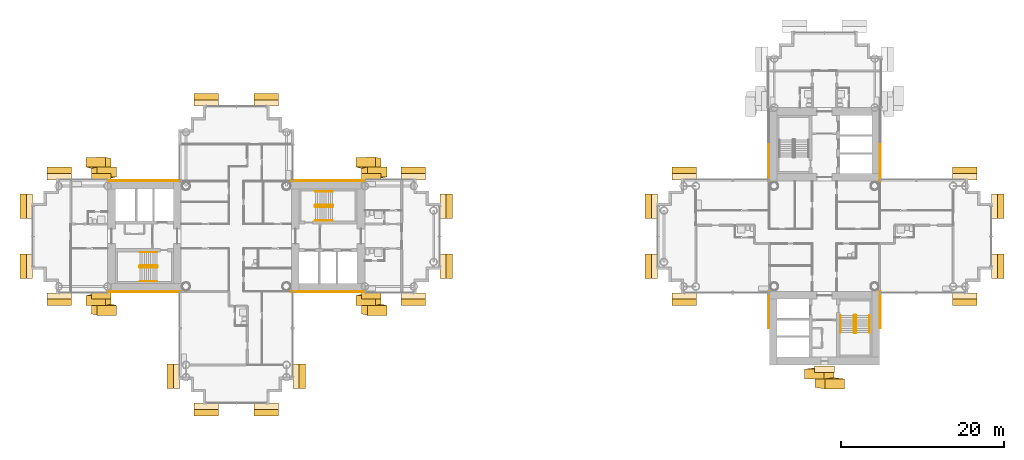
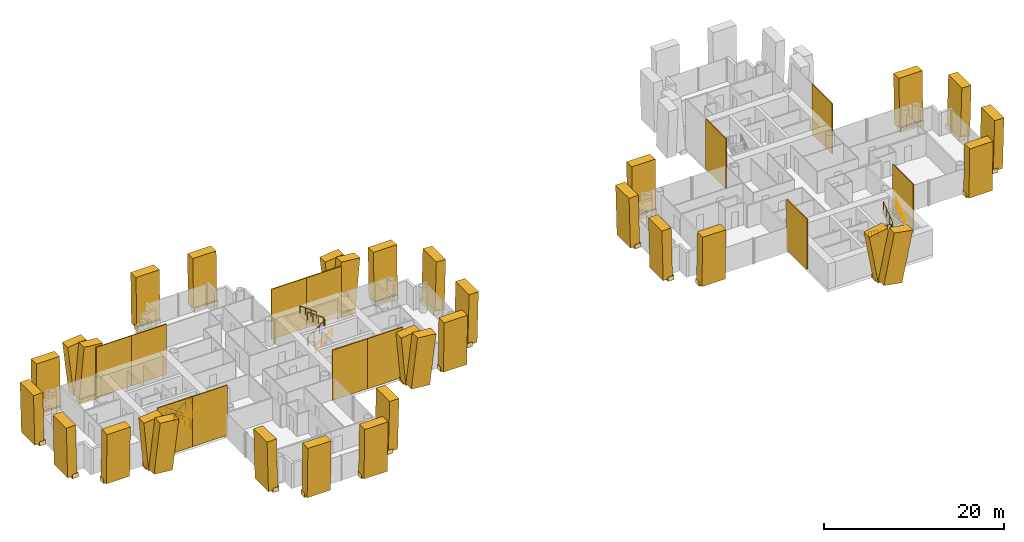
# One storey, part 18 of 20: 71 coverings, 9 railings.
"""IFC4 building model written with IfcOpenShell, lengths in metres."""

import ifcopenshell
import ifcopenshell.guid

model = None  # the IFC model being written
_history = None  # IfcOwnerHistory: only IFC2X3 demands one
_inside = {}  # id of a spatial element -> (the spatial element, [elements in it])
_under = {}  # id of a project, library or spatial element -> (it, [spatial elements below it])
_declared = {}  # id of a project -> (the project, [libraries it declares])
_typed = {}  # id of a type object -> (the type object, [elements of that type])
_made_of = {}  # id of a material, layer set ... -> (it, [elements and type objects made of it])


def new_model(schema):
    """Start an empty IFC model of exactly this schema.

    Asked for "IFC4X3", IfcOpenShell would pick the latest addendum, in which some entities
    have other attributes; the version numbers below select the first issue.
    IFC2X3 requires an IfcOwnerHistory on every rooted entity: one is made here for all.
    """
    global model, _history
    if schema == "IFC4X3":
        model = ifcopenshell.file(schema_version=(4, 3, 0, 0))
    else:
        model = ifcopenshell.file(schema=schema)
    _inside.clear()
    _under.clear()
    _declared.clear()
    _typed.clear()
    _made_of.clear()
    _history = None
    if model.schema == "IFC2X3":
        org = make("IfcOrganization", Name="unknown")
        user = make(
            "IfcPersonAndOrganization",
            ThePerson=make("IfcPerson", FamilyName="unknown"),
            TheOrganization=org,
        )
        app = make(
            "IfcApplication",
            ApplicationDeveloper=org,
            Version="unknown",
            ApplicationFullName="unknown",
            ApplicationIdentifier="unknown",
        )
        _history = make(
            "IfcOwnerHistory",
            OwningUser=user,
            OwningApplication=app,
            ChangeAction="ADDED",
            CreationDate=0,
        )
    return model


def make(cls, **values):
    """One entity of the class cls with the attributes given. An attribute that is None is left unset."""
    return model.create_entity(
        cls, **{name: value for name, value in values.items() if value is not None}
    )


def rooted(cls, **values):
    """An entity with a GlobalId (a new one), such as an element, a storey or a relation."""
    return make(cls, GlobalId=ifcopenshell.guid.new(), OwnerHistory=_history, **values)


def si_unit(unit_type, name, prefix=None):
    """IfcSIUnit, for example si_unit("LENGTHUNIT", "METRE", prefix="MILLI")."""
    return make("IfcSIUnit", UnitType=unit_type, Prefix=prefix, Name=name)


def assignment(units):
    """IfcUnitAssignment: the units of a project."""
    return None if units is None else make("IfcUnitAssignment", Units=units)


def point(xyz):
    """IfcCartesianPoint."""
    return None if xyz is None else make("IfcCartesianPoint", Coordinates=xyz)


def direction(xyz):
    """IfcDirection."""
    return None if xyz is None else make("IfcDirection", DirectionRatios=xyz)


def frame(location, z_axis=None, x_axis=None):
    """IfcAxis2Placement3D, a coordinate frame: its origin and axes. An axis left out is left unset."""
    return make(
        "IfcAxis2Placement3D",
        Location=point(location),
        Axis=direction(z_axis),
        RefDirection=direction(x_axis),
    )


def frame_2d(location, x_axis=None):
    """IfcAxis2Placement2D, a coordinate frame in the plane: its origin and x axis."""
    return make(
        "IfcAxis2Placement2D", Location=point(location), RefDirection=direction(x_axis)
    )


def origin():
    """The frame at (0, 0, 0) with its axes left unset."""
    return frame((0.0, 0.0, 0.0))


def origin_2d():
    """The frame at (0, 0) in the plane with its x axis left unset."""
    return frame_2d((0.0, 0.0))


def place(relative_to, where):
    """IfcLocalPlacement: puts the frame where relative to a parent placement (None: the world)."""
    return make(
        "IfcLocalPlacement", PlacementRelTo=relative_to, RelativePlacement=where
    )


def context(
    kind, dimensions, precision=None, world=None, true_north=None, identifier=None
):
    """IfcGeometricRepresentationContext, for example the 3D "Model" context."""
    return make(
        "IfcGeometricRepresentationContext",
        ContextIdentifier=identifier,
        ContextType=kind,
        CoordinateSpaceDimension=dimensions,
        Precision=precision,
        WorldCoordinateSystem=world,
        TrueNorth=true_north,
    )


def subcontext(parent, identifier, kind, view, scale=None):
    """IfcGeometricRepresentationSubContext, for example "Body" below "Model"."""
    return make(
        "IfcGeometricRepresentationSubContext",
        ContextIdentifier=identifier,
        ContextType=kind,
        ParentContext=parent,
        TargetScale=scale,
        TargetView=view,
    )


def project(units=None, contexts=None):
    """IfcProject with its units and contexts."""
    return rooted(
        "IfcProject",
        Name="project",
        RepresentationContexts=contexts,
        UnitsInContext=assignment(units),
    )


def spatial(cls, under=None, at=None, **own):
    """A site, building, storey or space (cls), placed at a placement, below another one or the project."""
    s = rooted(cls, ObjectPlacement=at, **own)
    if under is not None:
        _under.setdefault(under.id(), (under, []))[1].append(s)
    return s


def profile(cls, at=None, kind="AREA", **sizes):
    """A parametric profile (cls). Its sizes go by their IFC names, for example OverallWidth=200.0."""
    return make(cls, ProfileType=kind, Position=at, **sizes)


def rectangle(**sizes):
    """IfcRectangleProfileDef."""
    return profile("IfcRectangleProfileDef", **sizes)


def circle(**sizes):
    """IfcCircleProfileDef."""
    return profile("IfcCircleProfileDef", **sizes)


def extrude(swept, where, along, depth):
    """IfcExtrudedAreaSolid: the profile swept, set in the frame where, extruded along a direction by depth."""
    return make(
        "IfcExtrudedAreaSolid",
        SweptArea=swept,
        Position=where,
        ExtrudedDirection=direction(along),
        Depth=depth,
    )


def shape(context_of_items, identifier, shape_type, items):
    """IfcShapeRepresentation: the items that make up one representation, for example the "Body"."""
    return make(
        "IfcShapeRepresentation",
        ContextOfItems=context_of_items,
        RepresentationIdentifier=identifier,
        RepresentationType=shape_type,
        Items=items,
    )


def material(Name=None, Category=None):
    """IfcMaterial."""
    return make("IfcMaterial", Name=Name, Category=Category)


def layer(
    of_material, thickness, ventilated=None, Name=None, Category=None, Priority=None
):
    """IfcMaterialLayer: one layer of a wall or slab, of a material (None: an air gap)."""
    return make(
        "IfcMaterialLayer",
        Material=of_material,
        LayerThickness=thickness,
        IsVentilated=ventilated,
        Name=Name,
        Category=Category,
        Priority=Priority,
    )


def layer_set(layers, Name=None):
    """IfcMaterialLayerSet."""
    return make("IfcMaterialLayerSet", MaterialLayers=layers, LayerSetName=Name)


def material_profile(
    of_material, cross_section, Name=None, Category=None, Priority=None
):
    """IfcMaterialProfile: a cross section and its material."""
    return make(
        "IfcMaterialProfile",
        Name=Name,
        Material=of_material,
        Profile=cross_section,
        Priority=Priority,
        Category=Category,
    )


def profile_set(profiles, Name=None, composite=None):
    """IfcMaterialProfileSet."""
    return make(
        "IfcMaterialProfileSet",
        Name=Name,
        MaterialProfiles=profiles,
        CompositeProfile=composite,
    )


def made_of(thing, what):
    """Note that an element or type object is made of a material, layer set ...; save() writes the relation."""
    if what is not None:
        _made_of.setdefault(what.id(), (what, []))[1].append(thing)
    return thing


def type_object(cls, material=None, **own):
    """A type object (cls), such as IfcWallType, which elements share."""
    return made_of(rooted(cls, **own), material)


def element(
    cls,
    number,
    at=None,
    inside=None,
    cuts=None,
    type_object=None,
    material=None,
    context=None,
    identifier="Body",
    shape_type=None,
    held_by="IfcProductDefinitionShape",
    body=None,
    shapes=None,
    **own,
):
    """One element of the class cls, such as IfcWall. Its Tag is "e" and its number.

    at: its placement. inside: the storey or other place that contains it. cuts: it is an
    opening in that element (IfcRelVoidsElement). A single representation is given by context,
    identifier, shape_type and body (its items); several are given by shapes. held_by: the class
    of the entity that holds the representations. save() writes the other relations.
    """
    e = rooted(cls, Tag="e%d" % number, ObjectPlacement=at, **own)
    if body is not None:
        shapes = [shape(context, identifier, shape_type, body)]
    if shapes is not None:
        e.Representation = make(held_by, Representations=shapes)
    if inside is not None:
        _inside.setdefault(inside.id(), (inside, []))[1].append(e)
    if cuts is not None:
        rooted(
            "IfcRelVoidsElement", RelatingBuildingElement=cuts, RelatedOpeningElement=e
        )
    if type_object is not None:
        _typed.setdefault(type_object.id(), (type_object, []))[1].append(e)
    return made_of(e, material)


def aggregate(whole, parts):
    """IfcRelAggregates: a whole, such as a stair, and the parts it consists of."""
    return rooted("IfcRelAggregates", RelatingObject=whole, RelatedObjects=parts)


def save(model, path):
    """Write the relations noted so far, then the file.

    IfcRelAggregates (storeys below a building ...), IfcRelContainedInSpatialStructure (elements
    in a storey), IfcRelDefinesByType, IfcRelAssociatesMaterial and IfcRelDeclares: one each for
    every whole, place, type object, material and project.
    """
    for whole, parts in _under.values():
        aggregate(whole, parts)
    for where, things in _inside.values():
        rooted(
            "IfcRelContainedInSpatialStructure",
            RelatedElements=things,
            RelatingStructure=where,
        )
    for kind, things in _typed.values():
        rooted("IfcRelDefinesByType", RelatedObjects=things, RelatingType=kind)
    for what, things in _made_of.values():
        rooted("IfcRelAssociatesMaterial", RelatedObjects=things, RelatingMaterial=what)
    for by, libraries in _declared.values():
        rooted("IfcRelDeclares", RelatingContext=by, RelatedDefinitions=libraries)
    model.write(path)


model = new_model("IFC4")

# Units and contexts
model_context = context("Model", 3, precision=1e-05, world=origin(), true_north=direction((0.0, 1.0)))
body_context = subcontext(model_context, "Body", "Model", "MODEL_VIEW")
ifc_project = project(units=[si_unit("LENGTHUNIT", "METRE"), si_unit("AREAUNIT", "SQUARE_METRE"), si_unit("VOLUMEUNIT", "CUBIC_METRE"), si_unit("PLANEANGLEUNIT", "RADIAN"), si_unit("MASSUNIT", "GRAM", prefix="KILO")], contexts=[model_context])

# Site, building, storey
site_placement = place(None, origin())
site = spatial("IfcSite", under=ifc_project, at=site_placement, CompositionType="ELEMENT")
building_placement = place(site_placement, origin())
building = spatial("IfcBuilding", under=site, at=building_placement, Name="Ipe Terrace Towers", CompositionType="ELEMENT")
storey_placement = place(building_placement, frame((0.0, 0.0, 100.39990234375)))
storey = spatial("IfcBuildingStorey", under=building, at=storey_placement, Name="L27", CompositionType="ELEMENT", Elevation=100.39990234375)

# Coverings
ifc_material_1 = material(Name="Concrete C50/60 precast, buff finish", Category="concrete")
ifc_layer = layer(ifc_material_1, 0.1201171875)
ifc_layer_set = layer_set([ifc_layer], Name="STONE CORE CLADDING 120")
covering_type_1 = type_object("IfcCoveringType", Name="STONE CORE CLADDING 120", PredefinedType="CLADDING", material=ifc_layer_set)
covering_1_placement = place(storey_placement, frame((-49.5009765625, -6.81005859375, 0.0), z_axis=(0.0, 0.0, 1.0), x_axis=(1.0, 0.0, 0.0)))
element("IfcCovering", 1, at=covering_1_placement, inside=storey, type_object=covering_type_1, Name="stone core cladding", PredefinedType="CLADDING", context=body_context, shape_type="SweptSolid", body=[
    extrude(rectangle(XDim=4.5009765625, YDim=0.1201171875, at=origin_2d()), origin(), (0.0, 0.0, 1.0), 6.800048828125),
])
covering_2_placement = place(storey_placement, frame((-45.0, -6.81005859375, 0.0), z_axis=(0.0, 0.0, 1.0), x_axis=(1.0, 0.0, 0.0)))
element("IfcCovering", 2, at=covering_2_placement, inside=storey, type_object=covering_type_1, Name="stone core cladding", PredefinedType="CLADDING", context=body_context, shape_type="SweptSolid", body=[
    extrude(rectangle(XDim=4.5, YDim=0.1201171875, at=origin_2d()), origin(), (0.0, 0.0, 1.0), 6.800048828125),
])
covering_3_placement = place(storey_placement, frame((-49.5009765625, 6.81005859375, 0.0), z_axis=(0.0, 0.0, 1.0), x_axis=(-1.0, 0.0, 0.0)))
element("IfcCovering", 3, at=covering_3_placement, inside=storey, type_object=covering_type_1, Name="stone core cladding", PredefinedType="CLADDING", context=body_context, shape_type="SweptSolid", body=[
    extrude(rectangle(XDim=4.5009765625, YDim=0.1201171875, at=origin_2d()), origin(), (0.0, 0.0, 1.0), 6.800048828125),
])
for number, where, z_axis, x_axis, name in (
    (4, (-45.0, 6.81005859375, 0.0), (0.0, 0.0, 1.0), (-1.0, 0.0, 0.0), "stone core cladding"),
    (5, (-27.0, -6.81005859375, 0.0), (0.0, 0.0, 1.0), (1.0, 0.0, 0.0), "stone core cladding"),
):
    element("IfcCovering", number, at=place(storey_placement, frame(where, z_axis=z_axis, x_axis=x_axis)), inside=storey, type_object=covering_type_1, Name=name, PredefinedType="CLADDING", context=body_context, shape_type="SweptSolid", body=[
        extrude(rectangle(XDim=4.5, YDim=0.1201171875, at=origin_2d()), origin(), (0.0, 0.0, 1.0), 6.800048828125),
    ])
covering_4_placement = place(storey_placement, frame((-22.4990234375, -6.81005859375, 0.0), z_axis=(0.0, 0.0, 1.0), x_axis=(1.0, 0.0, 0.0)))
element("IfcCovering", 6, at=covering_4_placement, inside=storey, type_object=covering_type_1, Name="stone core cladding", PredefinedType="CLADDING", context=body_context, shape_type="SweptSolid", body=[
    extrude(rectangle(XDim=4.5009765625, YDim=0.1201171875, at=origin_2d()), origin(), (0.0, 0.0, 1.0), 6.800048828125),
])
covering_5_placement = place(storey_placement, frame((-27.0, 6.81005859375, 0.0), z_axis=(0.0, 0.0, 1.0), x_axis=(-1.0, 0.0, 0.0)))
element("IfcCovering", 7, at=covering_5_placement, inside=storey, type_object=covering_type_1, Name="stone core cladding", PredefinedType="CLADDING", context=body_context, shape_type="SweptSolid", body=[
    extrude(rectangle(XDim=4.5, YDim=0.1201171875, at=origin_2d()), origin(), (0.0, 0.0, 1.0), 6.800048828125),
])
covering_6_placement = place(storey_placement, frame((-22.4990234375, 6.81005859375, 0.0), z_axis=(0.0, 0.0, 1.0), x_axis=(-1.0, 0.0, 0.0)))
element("IfcCovering", 8, at=covering_6_placement, inside=storey, type_object=covering_type_1, Name="stone core cladding", PredefinedType="CLADDING", context=body_context, shape_type="SweptSolid", body=[
    extrude(rectangle(XDim=4.5009765625, YDim=0.1201171875, at=origin_2d()), origin(), (0.0, 0.0, 1.0), 6.800048828125),
])
for number, where, z_axis, x_axis, name in (
    (9, (29.18994140625, -9.0, 0.0), (0.0, 0.0, 1.0), (0.0, -1.0, 0.0), "stone core cladding"),
    (10, (29.18994140625, 9.0, 0.0), (0.0, 0.0, 1.0), (0.0, -1.0, 0.0), "stone core cladding"),
    (11, (42.81005859375, -9.0, 0.0), (0.0, 0.0, 1.0), (0.0, 1.0, 0.0), "stone core cladding"),
    (12, (42.81005859375, 9.0, 0.0), (0.0, 0.0, 1.0), (0.0, 1.0, 0.0), "stone core cladding"),
):
    element("IfcCovering", number, at=place(storey_placement, frame(where, z_axis=z_axis, x_axis=x_axis)), inside=storey, type_object=covering_type_1, Name=name, PredefinedType="CLADDING", context=body_context, shape_type="SweptSolid", body=[
        extrude(rectangle(XDim=4.5, YDim=0.1201171875, at=origin_2d()), origin(), (0.0, 0.0, 1.0), 6.800048828125),
    ])
ifc_material_2 = material(Name="Concrete C50/60 precast, buff finish", Category="concrete")
ifc_material_profile_1 = material_profile(ifc_material_2, rectangle(XDim=2.39990234375, YDim=1.199951171875, at=origin_2d()), Name="STONE FIN 2400 x 1200")
ifc_profile_set_1 = profile_set([ifc_material_profile_1], Name="Concrete C50/60 precast, buff finish")
covering_type_2 = type_object("IfcCoveringType", Name="STONE FIN 2400 x 1200", PredefinedType="USERDEFINED", material=ifc_profile_set_1)
for number, where, z_axis, x_axis, name in (
    (13, (-19.47509765625, -8.89990234375, 0.0), (0.10253607842, -0.025312701811, 0.994407170001), (0.994729286099, 0.002609217613, -0.102502874893), "stone fin"),
    (14, (-19.47509765625, 7.699951171875, 0.0), (0.10253607842, 0.025312701811, 0.994407170001), (-0.994729286099, 0.002609217613, 0.102502874893), "stone fin"),
    (15, (-19.47509765625, -7.699951171875, 0.0), (-0.102500751607, -0.025312794458, 0.994410809654), (0.994732926931, -0.002608318659, 0.102467559519), "stone fin"),
    (16, (-19.47509765625, 8.89990234375, 0.0), (-0.102500751607, 0.025312794458, 0.994410809654), (-0.994732926931, -0.002608318659, -0.102467559519), "stone fin"),
    (17, (-52.52490234375, -8.89990234375, 0.0), (0.102500751607, -0.025312794458, 0.994410809654), (0.994732926931, 0.002608318659, -0.102467559519), "stone fin"),
    (18, (-52.52490234375, 7.699951171875, 0.0), (0.102500751607, 0.025312794458, 0.994410809654), (-0.994732926931, 0.002608318659, 0.102467559519), "stone fin"),
    (19, (-52.52490234375, -7.699951171875, 0.0), (-0.10253607842, -0.025312701811, 0.994407170001), (0.994729286099, -0.002609217613, 0.102502874893), "stone fin"),
    (20, (-52.52490234375, 8.89990234375, 0.0), (-0.10253607842, 0.025312701811, 0.994407170001), (-0.994729286099, -0.002609217613, -0.102502874893), "stone fin"),
):
    element("IfcCovering", number, at=place(storey_placement, frame(where, z_axis=z_axis, x_axis=x_axis)), inside=storey, type_object=covering_type_2, Name=name, ObjectType="FIN", PredefinedType="USERDEFINED", context=body_context, shape_type="SweptSolid", body=[
        extrude(rectangle(XDim=2.39990234375, YDim=1.199951171875, at=origin_2d()), origin(), (0.0, 0.0, 1.0), 6.83837890625),
    ])
for number, where, z_axis, x_axis, name in (
    (21, (36.0, -16.699951171875, 0.0), (-0.183125082255, -0.02501650931, 0.982771274769), (0.983089621677, -0.004659951872, 0.183065782164), "stone fin"),
    (22, (36.0, -17.89990234375, 0.0), (0.183125082255, -0.02501650931, 0.982771274769), (0.983089621677, 0.004659951872, -0.183065782164), "stone fin"),
):
    element("IfcCovering", number, at=place(storey_placement, frame(where, z_axis=z_axis, x_axis=x_axis)), inside=storey, type_object=covering_type_2, Name=name, ObjectType="FIN", PredefinedType="USERDEFINED", context=body_context, shape_type="SweptSolid", body=[
        extrude(rectangle(XDim=2.39990234375, YDim=1.199951171875, at=origin_2d()), origin(), (0.0, 0.0, 1.0), 6.919189453125),
    ])
ifc_material_3 = material(Name="Concrete C50/60 precast, buff finish", Category="concrete")
ifc_material_profile_2 = material_profile(ifc_material_3, rectangle(XDim=3.0, YDim=1.199951171875, at=origin_2d()), Name="STONE FIN CORNER 3000 x 1200")
ifc_profile_set_2 = profile_set([ifc_material_profile_2], Name="Concrete C50/60 precast, buff finish")
covering_type_3 = type_object("IfcCoveringType", Name="STONE FIN CORNER 3000 x 1200", PredefinedType="USERDEFINED", material=ifc_profile_set_2)
for number, where, z_axis, x_axis, name in (
    (23, (-10.300048828125, -3.64990234375, 0.0), (0.025446824744, 0.0, 0.999676177125), (0.0, 1.0, 0.0), "stone fin"),
    (24, (-10.300048828125, 3.64990234375, 0.0), (0.025446824744, 0.0, 0.999676177125), (0.0, 1.0, 0.0), "stone fin"),
    (25, (-14.35009765625, -7.699951171875, 0.0), (0.0, -0.025446824744, 0.999676177125), (1.0, 0.0, 0.0), "stone fin"),
    (26, (-14.35009765625, 7.699951171875, 0.0), (0.0, 0.025446824744, 0.999676177125), (-1.0, 0.0, 0.0), "stone fin"),
    (27, (-28.300048828125, -17.14990234375, 0.0), (0.025446824744, 0.0, 0.999676177125), (0.0, 1.0, 0.0), "stone fin"),
    (28, (-32.35009765625, -21.199951171875, 0.0), (0.0, -0.025446824744, 0.999676177125), (1.0, 0.0, 0.0), "stone fin"),
    (29, (-32.35009765625, 16.699951171875, 0.0), (0.0, 0.025446824744, 0.999676177125), (-1.0, 0.0, 0.0), "stone fin"),
    (30, (-39.64990234375, -21.199951171875, 0.0), (0.0, -0.025446824744, 0.999676177125), (1.0, 0.0, 0.0), "stone fin"),
    (31, (-39.64990234375, 16.699951171875, 0.0), (0.0, 0.025446824744, 0.999676177125), (-1.0, 0.0, 0.0), "stone fin"),
    (32, (-43.699951171875, -17.14990234375, 0.0), (-0.025446824744, 0.0, 0.999676177125), (0.0, -1.0, 0.0), "stone fin"),
    (33, (-57.64990234375, -7.699951171875, 0.0), (0.0, -0.025446824744, 0.999676177125), (1.0, 0.0, 0.0), "stone fin"),
    (34, (-57.64990234375, 7.699951171875, 0.0), (0.0, 0.025446824744, 0.999676177125), (-1.0, 0.0, 0.0), "stone fin"),
    (35, (-61.699951171875, -3.64990234375, 0.0), (-0.025446824744, 0.0, 0.999676177125), (0.0, -1.0, 0.0), "stone fin"),
    (36, (-61.699951171875, 3.64990234375, 0.0), (-0.025446824744, 0.0, 0.999676177125), (0.0, -1.0, 0.0), "stone fin"),
    (37, (14.800048828125, -3.64990234375, 0.0), (-0.025446824744, 0.0, 0.999676177125), (0.0, -1.0, 0.0), "stone fin"),
    (38, (14.800048828125, 3.64990234375, 0.0), (-0.025446824744, 0.0, 0.999676177125), (0.0, -1.0, 0.0), "stone fin"),
    (39, (18.85009765625, -7.699951171875, 0.0), (0.0, -0.025446824744, 0.999676177125), (1.0, 0.0, 0.0), "stone fin"),
    (40, (18.85009765625, 7.699951171875, 0.0), (0.0, 0.025446824744, 0.999676177125), (-1.0, 0.0, 0.0), "stone fin"),
    (41, (53.14990234375, -7.699951171875, 0.0), (0.0, -0.025446824744, 0.999676177125), (1.0, 0.0, 0.0), "stone fin"),
    (42, (53.14990234375, 7.699951171875, 0.0), (0.0, 0.025446824744, 0.999676177125), (-1.0, 0.0, 0.0), "stone fin"),
    (43, (57.199951171875, -3.64990234375, 0.0), (0.025446824744, 0.0, 0.999676177125), (0.0, 1.0, 0.0), "stone fin"),
    (44, (57.199951171875, 3.64990234375, 0.0), (0.025446824744, 0.0, 0.999676177125), (0.0, 1.0, 0.0), "stone fin"),
):
    element("IfcCovering", number, at=place(storey_placement, frame(where, z_axis=z_axis, x_axis=x_axis)), inside=storey, type_object=covering_type_3, Name=name, ObjectType="FIN", PredefinedType="USERDEFINED", context=body_context, shape_type="SweptSolid", body=[
        extrude(rectangle(XDim=3.0, YDim=1.199951171875, at=origin_2d()), origin(), (0.0, 0.0, 1.0), 6.80224609375),
    ])
ifc_material_4 = material(Name="Concrete C50/60 precast, buff finish", Category="concrete")
covering_type_4 = type_object("IfcCoveringType", Name="STONE FIN SHELF 2400 x 600", PredefinedType="CLADDING", material=ifc_material_4)
for number, where, z_axis, x_axis, name in (
    (45, (-19.47509765625, 7.30810546875, -0.349853515625), (0.0, 0.0, 1.0), (-1.0, 0.0, 0.0), "stone fin shelf"),
    (46, (-19.47509765625, -7.30810546875, -0.349853515625), (0.0, 0.0, 1.0), (1.0, 0.0, 0.0), "stone fin shelf"),
    (47, (-52.52490234375, 7.30810546875, -0.349853515625), (0.0, 0.0, 1.0), (-1.0, 0.0, 0.0), "stone fin shelf"),
    (48, (-52.52490234375, -7.30810546875, -0.349853515625), (0.0, 0.0, 1.0), (1.0, 0.0, 0.0), "stone fin shelf"),
):
    element("IfcCovering", number, at=place(storey_placement, frame(where, z_axis=z_axis, x_axis=x_axis)), inside=storey, type_object=covering_type_4, Name=name, PredefinedType="CLADDING", context=body_context, shape_type="SweptSolid", body=[
        extrude(rectangle(XDim=2.39990234375, YDim=0.783935546875, at=origin_2d()), origin(), (0.0, 0.0, 1.0), 0.60009765625),
    ])
covering_7_placement = place(storey_placement, frame((36.0, -16.280029296875, -0.349853515625), z_axis=(0.0, 0.0, 1.0), x_axis=(1.0, 0.0, 0.0)))
element("IfcCovering", 49, at=covering_7_placement, inside=storey, type_object=covering_type_4, Name="stone fin shelf", PredefinedType="CLADDING", context=body_context, shape_type="SweptSolid", body=[
    extrude(rectangle(XDim=2.39990234375, YDim=0.840087890625, at=origin_2d()), origin(), (0.0, 0.0, 1.0), 0.60009765625),
])
ifc_material_5 = material(Name="Concrete C50/60 precast, buff finish", Category="concrete")
covering_type_5 = type_object("IfcCoveringType", Name="STONE FIN SHELF 3000 x 600", PredefinedType="CLADDING", material=ifc_material_5)
for number, where, z_axis, x_axis, name in (
    (50, (-10.69189453125, -3.64990234375, -0.349853515625), (0.0, 0.0, 1.0), (0.0, 1.0, 0.0), "stone fin shelf"),
    (51, (-10.69189453125, 3.64990234375, -0.349853515625), (0.0, 0.0, 1.0), (0.0, 1.0, 0.0), "stone fin shelf"),
    (52, (-14.35009765625, -7.30810546875, -0.349853515625), (0.0, 0.0, 1.0), (1.0, 0.0, 0.0), "stone fin shelf"),
    (53, (-14.35009765625, 7.30810546875, -0.349853515625), (0.0, 0.0, 1.0), (-1.0, 0.0, 0.0), "stone fin shelf"),
    (54, (-28.69189453125, -17.14990234375, -0.349853515625), (0.0, 0.0, 1.0), (0.0, 1.0, 0.0), "stone fin shelf"),
    (55, (-32.35009765625, -20.80810546875, -0.349853515625), (0.0, 0.0, 1.0), (1.0, 0.0, 0.0), "stone fin shelf"),
    (56, (-32.35009765625, 16.30810546875, -0.349853515625), (0.0, 0.0, 1.0), (-1.0, 0.0, 0.0), "stone fin shelf"),
    (57, (-39.64990234375, -20.80810546875, -0.349853515625), (0.0, 0.0, 1.0), (1.0, 0.0, 0.0), "stone fin shelf"),
    (58, (-39.64990234375, 16.30810546875, -0.349853515625), (0.0, 0.0, 1.0), (-1.0, 0.0, 0.0), "stone fin shelf"),
    (59, (-43.30810546875, -17.14990234375, -0.349853515625), (0.0, 0.0, 1.0), (0.0, -1.0, 0.0), "stone fin shelf"),
    (60, (-57.64990234375, -7.30810546875, -0.349853515625), (0.0, 0.0, 1.0), (1.0, 0.0, 0.0), "stone fin shelf"),
    (61, (-57.64990234375, 7.30810546875, -0.349853515625), (0.0, 0.0, 1.0), (-1.0, 0.0, 0.0), "stone fin shelf"),
    (62, (-61.30810546875, -3.64990234375, -0.349853515625), (0.0, 0.0, 1.0), (0.0, -1.0, 0.0), "stone fin shelf"),
    (63, (-61.30810546875, 3.64990234375, -0.349853515625), (0.0, 0.0, 1.0), (0.0, -1.0, 0.0), "stone fin shelf"),
    (64, (15.19189453125, -3.64990234375, -0.349853515625), (0.0, 0.0, 1.0), (0.0, -1.0, 0.0), "stone fin shelf"),
    (65, (15.19189453125, 3.64990234375, -0.349853515625), (0.0, 0.0, 1.0), (0.0, -1.0, 0.0), "stone fin shelf"),
    (66, (18.85009765625, -7.30810546875, -0.349853515625), (0.0, 0.0, 1.0), (1.0, 0.0, 0.0), "stone fin shelf"),
    (67, (18.85009765625, 7.30810546875, -0.349853515625), (0.0, 0.0, 1.0), (-1.0, 0.0, 0.0), "stone fin shelf"),
    (68, (53.14990234375, -7.30810546875, -0.349853515625), (0.0, 0.0, 1.0), (1.0, 0.0, 0.0), "stone fin shelf"),
    (69, (53.14990234375, 7.30810546875, -0.349853515625), (0.0, 0.0, 1.0), (-1.0, 0.0, 0.0), "stone fin shelf"),
    (70, (56.80810546875, -3.64990234375, -0.349853515625), (0.0, 0.0, 1.0), (0.0, 1.0, 0.0), "stone fin shelf"),
    (71, (56.80810546875, 3.64990234375, -0.349853515625), (0.0, 0.0, 1.0), (0.0, 1.0, 0.0), "stone fin shelf"),
):
    element("IfcCovering", number, at=place(storey_placement, frame(where, z_axis=z_axis, x_axis=x_axis)), inside=storey, type_object=covering_type_5, Name=name, PredefinedType="CLADDING", context=body_context, shape_type="SweptSolid", body=[
        extrude(rectangle(XDim=3.0, YDim=0.783935546875, at=origin_2d()), origin(), (0.0, 0.0, 1.0), 0.60009765625),
    ])

# Railings
ifc_material_6 = material(Name="Steel S355", Category="steel")
railing_type_1 = type_object("IfcRailingType", Name="Stair guard 1100", PredefinedType="GUARDRAIL", material=ifc_material_6)
railing_1_placement = place(storey_placement, frame((-26.35009765625, 3.800048828125, 0.0)))
element("IfcRailing", 72, at=railing_1_placement, inside=storey, type_object=railing_type_1, Name="L27 T1-ST1 stair guard 1", PredefinedType="GUARDRAIL", context=body_context, shape_type="SweptSolid", body=[
    extrude(circle(Radius=0.02392578125, at=origin_2d()), frame((0.0, 0.0, 1.076171875), z_axis=(0.0, -1.0, 0.0), x_axis=(1.0, 0.0, 0.0)), (0.0, 0.0, 1.0), 0.150146484375),
    extrude(circle(Radius=0.02392578125, at=origin_2d()), frame((0.0, -0.150146484375, 1.076171875), z_axis=(0.248103849378, -0.246893586699, 0.936743314239), x_axis=(0.705375805398, 0.708833529934, 0.0)), (0.0, 0.0, 1.0), 0.20166015625),
    extrude(circle(Radius=0.02392578125, at=origin_2d()), frame((0.050048828125, -0.199951171875, 1.26513671875), z_axis=(0.809023421508, 0.0, 0.587776406001), x_axis=(0.0, 1.0, 0.0)), (0.0, 0.0, 1.0), 2.571044921875),
    extrude(circle(Radius=0.02392578125, at=origin_2d()), frame((2.130126953125, -0.199951171875, 2.7763671875), z_axis=(0.708833529934, 0.705375805398, 0.0), x_axis=(-0.705375805398, 0.708833529934, 0.0)), (0.0, 0.0, 1.0), 0.070556640625),
    extrude(circle(Radius=0.02392578125, at=origin_2d()), frame((2.18017578125, -0.150146484375, 2.7763671875), z_axis=(0.0, 1.0, 0.0), x_axis=(-1.0, 0.0, 0.0)), (0.0, 0.0, 1.0), 0.150146484375),
    extrude(circle(Radius=0.02392578125, at=origin_2d()), frame((2.18017578125, 0.0, 2.7763671875), z_axis=(-0.248310886586, 0.248310886586, 0.936313733321), x_axis=(-0.707106781187, -0.707106781187, 0.0)), (0.0, 0.0, 1.0), 0.20166015625),
    extrude(circle(Radius=0.02392578125, at=origin_2d()), frame((2.130126953125, 0.050048828125, 2.96484375), z_axis=(-0.809023421508, 0.0, 0.587776406001), x_axis=(0.0, -1.0, 0.0)), (0.0, 0.0, 1.0), 2.571044921875),
    extrude(circle(Radius=0.02099609375, at=origin_2d()), origin(), (0.0, 0.0, 1.0), 1.052001953125),
    extrude(circle(Radius=0.02099609375, at=origin_2d()), frame((0.0, -0.150146484375, 0.0)), (0.0, 0.0, 1.0), 1.052001953125),
    extrude(circle(Radius=0.02099609375, at=origin_2d()), frame((0.050048828125, -0.199951171875, 0.18896484375)), (0.0, 0.0, 1.0), 1.052001953125),
    extrude(circle(Radius=0.02099609375, at=origin_2d()), frame((0.743408203125, -0.199951171875, 0.692626953125)), (0.0, 0.0, 1.0), 1.052001953125),
    extrude(circle(Radius=0.02099609375, at=origin_2d()), frame((1.436767578125, -0.199951171875, 1.196533203125)), (0.0, 0.0, 1.0), 1.052001953125),
    extrude(circle(Radius=0.02099609375, at=origin_2d()), frame((2.130126953125, -0.199951171875, 1.7001953125)), (0.0, 0.0, 1.0), 1.052001953125),
    extrude(circle(Radius=0.02099609375, at=origin_2d()), frame((2.18017578125, -0.150146484375, 1.7001953125)), (0.0, 0.0, 1.0), 1.052001953125),
    extrude(circle(Radius=0.02099609375, at=origin_2d()), frame((2.18017578125, 0.0, 1.7001953125)), (0.0, 0.0, 1.0), 1.052001953125),
    extrude(circle(Radius=0.02099609375, at=origin_2d()), frame((2.130126953125, 0.050048828125, 1.888916015625)), (0.0, 0.0, 1.0), 1.052001953125),
    extrude(circle(Radius=0.02099609375, at=origin_2d()), frame((1.436767578125, 0.050048828125, 2.392578125)), (0.0, 0.0, 1.0), 1.052001953125),
    extrude(circle(Radius=0.02099609375, at=origin_2d()), frame((0.743408203125, 0.050048828125, 2.896484375)), (0.0, 0.0, 1.0), 1.052001953125),
    extrude(circle(Radius=0.02099609375, at=origin_2d()), frame((0.050048828125, 0.050048828125, 3.400146484375)), (0.0, 0.0, 1.0), 1.052001953125),
])
railing_2_placement = place(storey_placement, frame((-45.64990234375, -3.800048828125, 0.0)))
element("IfcRailing", 73, at=railing_2_placement, inside=storey, type_object=railing_type_1, Name="L27 T1-ST2 stair guard 1", PredefinedType="GUARDRAIL", context=body_context, shape_type="SweptSolid", body=[
    extrude(circle(Radius=0.02392578125, at=origin_2d()), frame((0.0, 0.0, 1.076171875), z_axis=(0.0, 1.0, 0.0), x_axis=(-1.0, 0.0, 0.0)), (0.0, 0.0, 1.0), 0.150146484375),
    extrude(circle(Radius=0.02392578125, at=origin_2d()), frame((0.0, 0.150146484375, 1.076171875), z_axis=(-0.248103849378, 0.246893586699, 0.936743314239), x_axis=(-0.705375805398, -0.708833529934, 0.0)), (0.0, 0.0, 1.0), 0.20166015625),
    extrude(circle(Radius=0.02392578125, at=origin_2d()), frame((-0.050048828125, 0.199951171875, 1.26513671875), z_axis=(-0.809023421508, 0.0, 0.587776406001), x_axis=(0.0, -1.0, 0.0)), (0.0, 0.0, 1.0), 2.571044921875),
    extrude(circle(Radius=0.02392578125, at=origin_2d()), frame((-2.130126953125, 0.199951171875, 2.7763671875), z_axis=(-0.708833529934, -0.705375805398, 0.0), x_axis=(0.705375805398, -0.708833529934, 0.0)), (0.0, 0.0, 1.0), 0.070556640625),
    extrude(circle(Radius=0.02392578125, at=origin_2d()), frame((-2.18017578125, 0.150146484375, 2.7763671875), z_axis=(0.0, -1.0, 0.0), x_axis=(1.0, 0.0, 0.0)), (0.0, 0.0, 1.0), 0.150146484375),
    extrude(circle(Radius=0.02392578125, at=origin_2d()), frame((-2.18017578125, 0.0, 2.7763671875), z_axis=(0.248310886586, -0.248310886586, 0.936313733321), x_axis=(0.707106781187, 0.707106781187, 0.0)), (0.0, 0.0, 1.0), 0.20166015625),
    extrude(circle(Radius=0.02392578125, at=origin_2d()), frame((-2.130126953125, -0.050048828125, 2.96484375), z_axis=(0.809023421508, 0.0, 0.587776406001), x_axis=(0.0, 1.0, 0.0)), (0.0, 0.0, 1.0), 2.571044921875),
    extrude(circle(Radius=0.02099609375, at=origin_2d()), origin(), (0.0, 0.0, 1.0), 1.052001953125),
    extrude(circle(Radius=0.02099609375, at=origin_2d()), frame((0.0, 0.150146484375, 0.0)), (0.0, 0.0, 1.0), 1.052001953125),
    extrude(circle(Radius=0.02099609375, at=origin_2d()), frame((-0.050048828125, 0.199951171875, 0.18896484375)), (0.0, 0.0, 1.0), 1.052001953125),
    extrude(circle(Radius=0.02099609375, at=origin_2d()), frame((-0.743408203125, 0.199951171875, 0.692626953125)), (0.0, 0.0, 1.0), 1.052001953125),
    extrude(circle(Radius=0.02099609375, at=origin_2d()), frame((-1.436767578125, 0.199951171875, 1.196533203125)), (0.0, 0.0, 1.0), 1.052001953125),
    extrude(circle(Radius=0.02099609375, at=origin_2d()), frame((-2.130126953125, 0.199951171875, 1.7001953125)), (0.0, 0.0, 1.0), 1.052001953125),
    extrude(circle(Radius=0.02099609375, at=origin_2d()), frame((-2.18017578125, 0.150146484375, 1.7001953125)), (0.0, 0.0, 1.0), 1.052001953125),
    extrude(circle(Radius=0.02099609375, at=origin_2d()), frame((-2.18017578125, 0.0, 1.7001953125)), (0.0, 0.0, 1.0), 1.052001953125),
    extrude(circle(Radius=0.02099609375, at=origin_2d()), frame((-2.130126953125, -0.050048828125, 1.888916015625)), (0.0, 0.0, 1.0), 1.052001953125),
    extrude(circle(Radius=0.02099609375, at=origin_2d()), frame((-1.436767578125, -0.050048828125, 2.392578125)), (0.0, 0.0, 1.0), 1.052001953125),
    extrude(circle(Radius=0.02099609375, at=origin_2d()), frame((-0.743408203125, -0.050048828125, 2.896484375)), (0.0, 0.0, 1.0), 1.052001953125),
    extrude(circle(Radius=0.02099609375, at=origin_2d()), frame((-0.050048828125, -0.050048828125, 3.400146484375)), (0.0, 0.0, 1.0), 1.052001953125),
])
railing_3_placement = place(storey_placement, frame((39.800048828125, -9.64990234375, 0.0)))
element("IfcRailing", 74, at=railing_3_placement, inside=storey, type_object=railing_type_1, Name="L27 T2-ST2 stair guard 1", PredefinedType="GUARDRAIL", context=body_context, shape_type="SweptSolid", body=[
    extrude(circle(Radius=0.02392578125, at=origin_2d()), frame((0.0, 0.0, 1.076171875), z_axis=(-1.0, 0.0, 0.0), x_axis=(0.0, -1.0, 0.0)), (0.0, 0.0, 1.0), 0.150146484375),
    extrude(circle(Radius=0.02392578125, at=origin_2d()), frame((-0.150146484375, 0.0, 1.076171875), z_axis=(-0.246893586699, -0.248103849378, 0.936743314239), x_axis=(0.708833529934, -0.705375805398, 0.0)), (0.0, 0.0, 1.0), 0.20166015625),
    extrude(circle(Radius=0.02392578125, at=origin_2d()), frame((-0.199951171875, -0.050048828125, 1.26513671875), z_axis=(0.0, -0.809023421508, 0.587776406001), x_axis=(1.0, 0.0, 0.0)), (0.0, 0.0, 1.0), 2.571044921875),
    extrude(circle(Radius=0.02392578125, at=origin_2d()), frame((-0.199951171875, -2.130126953125, 2.7763671875), z_axis=(0.705375805398, -0.708833529934, 0.0), x_axis=(0.708833529934, 0.705375805398, 0.0)), (0.0, 0.0, 1.0), 0.070556640625),
    extrude(circle(Radius=0.02392578125, at=origin_2d()), frame((-0.150146484375, -2.18017578125, 2.7763671875), z_axis=(1.0, 0.0, 0.0), x_axis=(0.0, 1.0, 0.0)), (0.0, 0.0, 1.0), 0.150146484375),
    extrude(circle(Radius=0.02392578125, at=origin_2d()), frame((0.0, -2.18017578125, 2.7763671875), z_axis=(0.248310886586, 0.248310886586, 0.936313733321), x_axis=(-0.707106781187, 0.707106781187, 0.0)), (0.0, 0.0, 1.0), 0.20166015625),
    extrude(circle(Radius=0.02392578125, at=origin_2d()), frame((0.050048828125, -2.130126953125, 2.96484375), z_axis=(0.0, 0.809023421508, 0.587776406001), x_axis=(-1.0, 0.0, 0.0)), (0.0, 0.0, 1.0), 2.571044921875),
    extrude(circle(Radius=0.02099609375, at=origin_2d()), origin(), (0.0, 0.0, 1.0), 1.052001953125),
    extrude(circle(Radius=0.02099609375, at=origin_2d()), frame((-0.150146484375, 0.0, 0.0)), (0.0, 0.0, 1.0), 1.052001953125),
    extrude(circle(Radius=0.02099609375, at=origin_2d()), frame((-0.199951171875, -0.050048828125, 0.18896484375)), (0.0, 0.0, 1.0), 1.052001953125),
    extrude(circle(Radius=0.02099609375, at=origin_2d()), frame((-0.199951171875, -0.743408203125, 0.692626953125)), (0.0, 0.0, 1.0), 1.052001953125),
    extrude(circle(Radius=0.02099609375, at=origin_2d()), frame((-0.199951171875, -1.436767578125, 1.196533203125)), (0.0, 0.0, 1.0), 1.052001953125),
    extrude(circle(Radius=0.02099609375, at=origin_2d()), frame((-0.199951171875, -2.130126953125, 1.7001953125)), (0.0, 0.0, 1.0), 1.052001953125),
    extrude(circle(Radius=0.02099609375, at=origin_2d()), frame((-0.150146484375, -2.18017578125, 1.7001953125)), (0.0, 0.0, 1.0), 1.052001953125),
    extrude(circle(Radius=0.02099609375, at=origin_2d()), frame((0.0, -2.18017578125, 1.7001953125)), (0.0, 0.0, 1.0), 1.052001953125),
    extrude(circle(Radius=0.02099609375, at=origin_2d()), frame((0.050048828125, -2.130126953125, 1.888916015625)), (0.0, 0.0, 1.0), 1.052001953125),
    extrude(circle(Radius=0.02099609375, at=origin_2d()), frame((0.050048828125, -1.436767578125, 2.392578125)), (0.0, 0.0, 1.0), 1.052001953125),
    extrude(circle(Radius=0.02099609375, at=origin_2d()), frame((0.050048828125, -0.743408203125, 2.896484375)), (0.0, 0.0, 1.0), 1.052001953125),
    extrude(circle(Radius=0.02099609375, at=origin_2d()), frame((0.050048828125, -0.050048828125, 3.400146484375)), (0.0, 0.0, 1.0), 1.052001953125),
])
ifc_material_7 = material(Name="Stainless steel grade 304", Category="steel")
railing_type_2 = type_object("IfcRailingType", Name="Stair handrail 900", PredefinedType="HANDRAIL", material=ifc_material_7)
railing_4_placement = place(storey_placement, frame((-26.300048828125, 1.949951171875, 0.18896484375)))
element("IfcRailing", 75, at=railing_4_placement, inside=storey, type_object=railing_type_2, Name="L27 T1-ST1 stair handrail 1", PredefinedType="HANDRAIL", context=body_context, shape_type="SweptSolid", body=[
    extrude(circle(Radius=0.02392578125, at=origin_2d()), frame((0.0, 0.0, 0.8759765625), z_axis=(0.809023421508, 0.0, 0.587776406001), x_axis=(0.0, 1.0, 0.0)), (0.0, 0.0, 1.0), 2.571044921875),
    extrude(circle(Radius=0.02099609375, at=origin_2d()), origin(), (0.0, 0.0, 1.0), 0.851806640625),
    extrude(circle(Radius=0.02099609375, at=origin_2d()), frame((0.693359375, 0.0, 0.503662109375)), (0.0, 0.0, 1.0), 0.851806640625),
    extrude(circle(Radius=0.02099609375, at=origin_2d()), frame((1.38671875, 0.0, 1.007568359375)), (0.0, 0.0, 1.0), 0.851806640625),
    extrude(circle(Radius=0.02099609375, at=origin_2d()), frame((2.080078125, 0.0, 1.51123046875)), (0.0, 0.0, 1.0), 0.851806640625),
])
for number, where, name in (
    (76, (-24.219970703125, 5.5, 1.888916015625), "L27 T1-ST1 stair handrail 2"),
    (77, (-45.699951171875, -1.949951171875, 0.18896484375), "L27 T1-ST2 stair handrail 1"),
):
    element("IfcRailing", number, at=place(storey_placement, frame(where)), inside=storey, type_object=railing_type_2, Name=name, PredefinedType="HANDRAIL", context=body_context, shape_type="SweptSolid", body=[
        extrude(circle(Radius=0.02392578125, at=origin_2d()), frame((0.0, 0.0, 0.8759765625), z_axis=(-0.809023421508, 0.0, 0.587776406001), x_axis=(0.0, -1.0, 0.0)), (0.0, 0.0, 1.0), 2.571044921875),
        extrude(circle(Radius=0.02099609375, at=origin_2d()), origin(), (0.0, 0.0, 1.0), 0.851806640625),
        extrude(circle(Radius=0.02099609375, at=origin_2d()), frame((-0.693359375, 0.0, 0.503662109375)), (0.0, 0.0, 1.0), 0.851806640625),
        extrude(circle(Radius=0.02099609375, at=origin_2d()), frame((-1.38671875, 0.0, 1.007568359375)), (0.0, 0.0, 1.0), 0.851806640625),
        extrude(circle(Radius=0.02099609375, at=origin_2d()), frame((-2.080078125, 0.0, 1.51123046875)), (0.0, 0.0, 1.0), 0.851806640625),
    ])
railing_5_placement = place(storey_placement, frame((-47.780029296875, -5.5, 1.888916015625)))
element("IfcRailing", 78, at=railing_5_placement, inside=storey, type_object=railing_type_2, Name="L27 T1-ST2 stair handrail 2", PredefinedType="HANDRAIL", context=body_context, shape_type="SweptSolid", body=[
    extrude(circle(Radius=0.02392578125, at=origin_2d()), frame((0.0, 0.0, 0.8759765625), z_axis=(0.809023421508, 0.0, 0.587776406001), x_axis=(0.0, 1.0, 0.0)), (0.0, 0.0, 1.0), 2.571044921875),
    extrude(circle(Radius=0.02099609375, at=origin_2d()), origin(), (0.0, 0.0, 1.0), 0.851806640625),
    extrude(circle(Radius=0.02099609375, at=origin_2d()), frame((0.693359375, 0.0, 0.503662109375)), (0.0, 0.0, 1.0), 0.851806640625),
    extrude(circle(Radius=0.02099609375, at=origin_2d()), frame((1.38671875, 0.0, 1.007568359375)), (0.0, 0.0, 1.0), 0.851806640625),
    extrude(circle(Radius=0.02099609375, at=origin_2d()), frame((2.080078125, 0.0, 1.51123046875)), (0.0, 0.0, 1.0), 0.851806640625),
])
railing_6_placement = place(storey_placement, frame((37.949951171875, -9.699951171875, 0.18896484375)))
element("IfcRailing", 79, at=railing_6_placement, inside=storey, type_object=railing_type_2, Name="L27 T2-ST2 stair handrail 1", PredefinedType="HANDRAIL", context=body_context, shape_type="SweptSolid", body=[
    extrude(circle(Radius=0.02392578125, at=origin_2d()), frame((0.0, 0.0, 0.8759765625), z_axis=(0.0, -0.809023421508, 0.587776406001), x_axis=(1.0, 0.0, 0.0)), (0.0, 0.0, 1.0), 2.571044921875),
    extrude(circle(Radius=0.02099609375, at=origin_2d()), origin(), (0.0, 0.0, 1.0), 0.851806640625),
    extrude(circle(Radius=0.02099609375, at=origin_2d()), frame((0.0, -0.693359375, 0.503662109375)), (0.0, 0.0, 1.0), 0.851806640625),
    extrude(circle(Radius=0.02099609375, at=origin_2d()), frame((0.0, -1.38671875, 1.007568359375)), (0.0, 0.0, 1.0), 0.851806640625),
    extrude(circle(Radius=0.02099609375, at=origin_2d()), frame((0.0, -2.080078125, 1.51123046875)), (0.0, 0.0, 1.0), 0.851806640625),
])
railing_7_placement = place(storey_placement, frame((41.5, -11.780029296875, 1.888916015625)))
element("IfcRailing", 80, at=railing_7_placement, inside=storey, type_object=railing_type_2, Name="L27 T2-ST2 stair handrail 2", PredefinedType="HANDRAIL", context=body_context, shape_type="SweptSolid", body=[
    extrude(circle(Radius=0.02392578125, at=origin_2d()), frame((0.0, 0.0, 0.8759765625), z_axis=(0.0, 0.809023421508, 0.587776406001), x_axis=(-1.0, 0.0, 0.0)), (0.0, 0.0, 1.0), 2.571044921875),
    extrude(circle(Radius=0.02099609375, at=origin_2d()), origin(), (0.0, 0.0, 1.0), 0.851806640625),
    extrude(circle(Radius=0.02099609375, at=origin_2d()), frame((0.0, 0.693359375, 0.503662109375)), (0.0, 0.0, 1.0), 0.851806640625),
    extrude(circle(Radius=0.02099609375, at=origin_2d()), frame((0.0, 1.38671875, 1.007568359375)), (0.0, 0.0, 1.0), 0.851806640625),
    extrude(circle(Radius=0.02099609375, at=origin_2d()), frame((0.0, 2.080078125, 1.51123046875)), (0.0, 0.0, 1.0), 0.851806640625),
])

save(model, "model.ifc")
